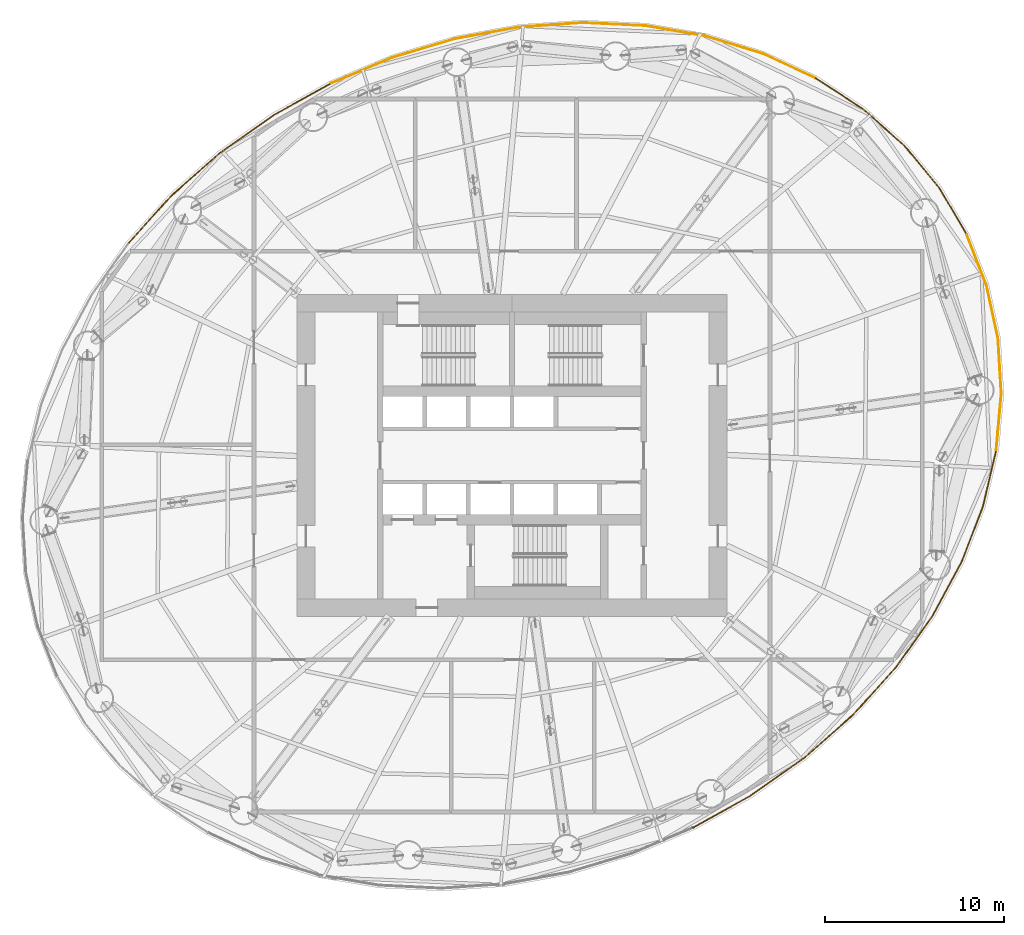
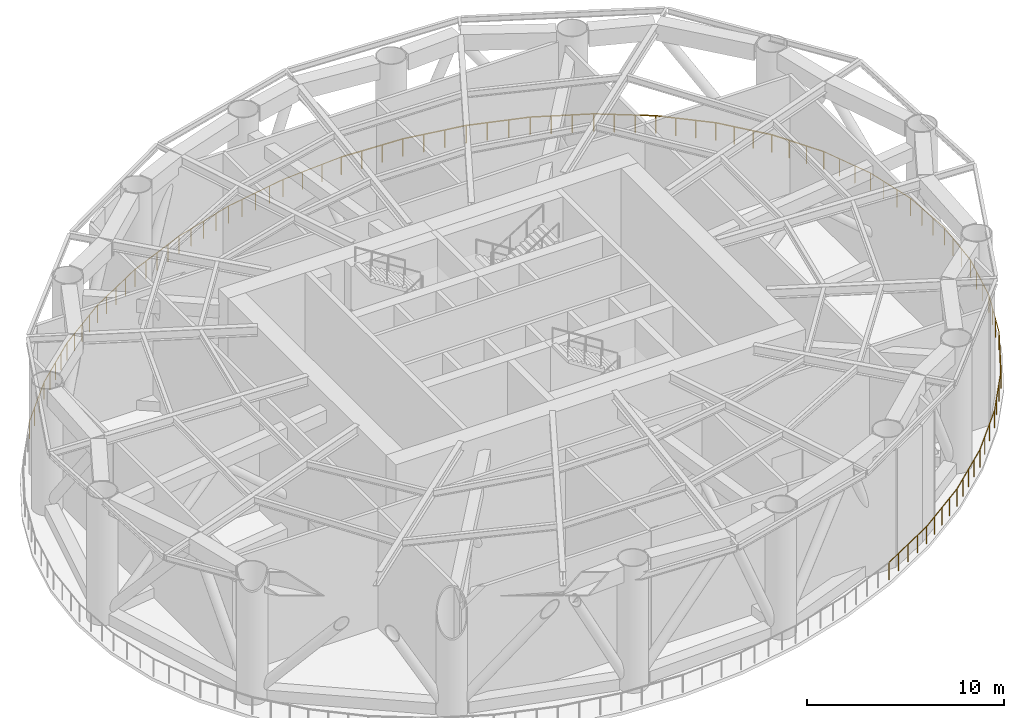
# One storey, part 15 of 15: 7 railings.
"""IFC4 building model written with IfcOpenShell, lengths in metres."""

from ifc_helpers import new_model, si_unit, direction, frame, origin, origin_2d, place, context, subcontext, project, spatial, circle, extrude, material, type_object, element, save


model = new_model("IFC4")

# Units and contexts
model_context = context("Model", 3, precision=1e-05, world=origin(), true_north=direction((0.0, 1.0)))
body_context = subcontext(model_context, "Body", "Model", "MODEL_VIEW")
ifc_project = project(units=[si_unit("LENGTHUNIT", "METRE"), si_unit("AREAUNIT", "SQUARE_METRE"), si_unit("VOLUMEUNIT", "CUBIC_METRE"), si_unit("PLANEANGLEUNIT", "RADIAN"), si_unit("MASSUNIT", "GRAM", prefix="KILO")], contexts=[model_context])

# Site, building, storey
site_placement = place(None, origin())
site = spatial("IfcSite", under=ifc_project, at=site_placement, CompositionType="ELEMENT")
building_placement = place(site_placement, origin())
building = spatial("IfcBuilding", under=site, at=building_placement, Name="Vermilion Reach Broadcast Tower", CompositionType="ELEMENT")
storey_placement = place(building_placement, frame((0.0, 0.0, 135.39990234375)))
storey = spatial("IfcBuildingStorey", under=building, at=storey_placement, Name="L32", CompositionType="ELEMENT", Elevation=135.39990234375)

# Railings
ifc_material = material(Name="Steel guardrail with stainless infill", Category="steel")
railing_type = type_object("IfcRailingType", Name="Open floor guardrail 1100", PredefinedType="GUARDRAIL", material=ifc_material)
railing_1_placement = place(storey_placement, frame((19.3818359375, 12.335693359375, 0.0)))
element("IfcRailing", 1, at=railing_1_placement, inside=storey, type_object=railing_type, Name="sp.rail.L32.00", PredefinedType="GUARDRAIL", context=body_context, shape_type="SweptSolid", body=[
    extrude(circle(Radius=0.02490234375, at=origin_2d()), frame((0.0, 0.0, 1.0751953125), z_axis=(-0.507465156079, 0.861672278401, 0.0), x_axis=(-0.861672278401, -0.507465156079, 0.0)), (0.0, 0.0, 1.0), 3.020263671875),
    extrude(circle(Radius=0.02490234375, at=origin_2d()), frame((-1.53271484375, 2.6025390625, 1.0751953125), z_axis=(-0.636953948744, 0.770901853143, 0.0), x_axis=(-0.770901853143, -0.636953948744, 0.0)), (0.0, 0.0, 1.0), 3.045654296875),
    extrude(circle(Radius=0.02490234375, at=origin_2d()), frame((-3.47265625, 4.950439453125, 1.0751953125), z_axis=(-0.748022828965, 0.663672997302, 0.0), x_axis=(-0.663672997302, -0.748022828965, 0.0)), (0.0, 0.0, 1.0), 3.093994140625),
    extrude(circle(Radius=0.02490234375, at=origin_2d()), frame((-5.787109375, 7.00390625, 1.0751953125), z_axis=(-0.838293610428, 0.545219059385, 0.0), x_axis=(-0.545219059385, -0.838293610428, 0.0)), (0.0, 0.0, 1.0), 3.161376953125),
    extrude(circle(Radius=0.02490234375, at=origin_2d()), origin(), (0.0, 0.0, 1.0), 1.050048828125),
    extrude(circle(Radius=0.02490234375, at=origin_2d()), frame((-0.510986328125, 0.867431640625, 0.0)), (0.0, 0.0, 1.0), 1.050048828125),
    extrude(circle(Radius=0.02490234375, at=origin_2d()), frame((-1.021728515625, 1.735107421875, 0.0)), (0.0, 0.0, 1.0), 1.050048828125),
    extrude(circle(Radius=0.02490234375, at=origin_2d()), frame((-1.53271484375, 2.6025390625, 0.0)), (0.0, 0.0, 1.0), 1.050048828125),
    extrude(circle(Radius=0.02490234375, at=origin_2d()), frame((-2.179443359375, 3.38525390625, 0.0)), (0.0, 0.0, 1.0), 1.050048828125),
    extrude(circle(Radius=0.02490234375, at=origin_2d()), frame((-2.825927734375, 4.167724609375, 0.0)), (0.0, 0.0, 1.0), 1.050048828125),
    extrude(circle(Radius=0.02490234375, at=origin_2d()), frame((-3.47265625, 4.950439453125, 0.0)), (0.0, 0.0, 1.0), 1.050048828125),
    extrude(circle(Radius=0.02490234375, at=origin_2d()), frame((-4.244140625, 5.635009765625, 0.0)), (0.0, 0.0, 1.0), 1.050048828125),
    extrude(circle(Radius=0.02490234375, at=origin_2d()), frame((-5.015625, 6.3193359375, 0.0)), (0.0, 0.0, 1.0), 1.050048828125),
    extrude(circle(Radius=0.02490234375, at=origin_2d()), frame((-5.787109375, 7.00390625, 0.0)), (0.0, 0.0, 1.0), 1.050048828125),
    extrude(circle(Radius=0.02490234375, at=origin_2d()), frame((-6.67041015625, 7.578369140625, 0.0)), (0.0, 0.0, 1.0), 1.050048828125),
    extrude(circle(Radius=0.02490234375, at=origin_2d()), frame((-7.553955078125, 8.153076171875, 0.0)), (0.0, 0.0, 1.0), 1.050048828125),
    extrude(circle(Radius=0.02490234375, at=origin_2d()), frame((-8.437255859375, 8.7275390625, 0.0)), (0.0, 0.0, 1.0), 1.050048828125),
])
railing_2_placement = place(storey_placement, frame((10.944580078125, 21.063232421875, 0.0)))
element("IfcRailing", 2, at=railing_2_placement, inside=storey, type_object=railing_type, Name="sp.rail.L32.01", PredefinedType="GUARDRAIL", context=body_context, shape_type="SweptSolid", body=[
    extrude(circle(Radius=0.02490234375, at=origin_2d()), frame((0.0, 0.0, 1.0751953125), z_axis=(-0.907175320106, 0.420752823629, 0.0), x_axis=(-0.420752823629, -0.907175320106, 0.0)), (0.0, 0.0, 1.0), 3.241943359375),
    extrude(circle(Radius=0.02490234375, at=origin_2d()), frame((-2.94091796875, 1.364013671875, 1.0751953125), z_axis=(-0.955598059159, 0.294673292533, 0.0), x_axis=(-0.294673292533, -0.955598059159, 0.0)), (0.0, 0.0, 1.0), 3.328857421875),
    extrude(circle(Radius=0.02490234375, at=origin_2d()), frame((-6.1220703125, 2.344970703125, 1.0751953125), z_axis=(-0.985461353244, 0.169899738854, 0.0), x_axis=(-0.169899738854, -0.985461353244, 0.0)), (0.0, 0.0, 1.0), 3.4169921875),
    extrude(circle(Radius=0.02490234375, at=origin_2d()), frame((-9.489501953125, 2.925537109375, 1.0751953125), z_axis=(-0.998820781228, 0.048549428293, 0.0), x_axis=(-0.048549428293, -0.998820781228, 0.0)), (0.0, 0.0, 1.0), 3.5),
    extrude(circle(Radius=0.02490234375, at=origin_2d()), origin(), (0.0, 0.0, 1.0), 1.050048828125),
    extrude(circle(Radius=0.02490234375, at=origin_2d()), frame((-0.980224609375, 0.45458984375, 0.0)), (0.0, 0.0, 1.0), 1.050048828125),
    extrude(circle(Radius=0.02490234375, at=origin_2d()), frame((-1.960693359375, 0.909423828125, 0.0)), (0.0, 0.0, 1.0), 1.050048828125),
    extrude(circle(Radius=0.02490234375, at=origin_2d()), frame((-2.94091796875, 1.364013671875, 0.0)), (0.0, 0.0, 1.0), 1.050048828125),
    extrude(circle(Radius=0.02490234375, at=origin_2d()), frame((-4.001220703125, 1.69091796875, 0.0)), (0.0, 0.0, 1.0), 1.050048828125),
    extrude(circle(Radius=0.02490234375, at=origin_2d()), frame((-5.061767578125, 2.01806640625, 0.0)), (0.0, 0.0, 1.0), 1.050048828125),
    extrude(circle(Radius=0.02490234375, at=origin_2d()), frame((-6.1220703125, 2.344970703125, 0.0)), (0.0, 0.0, 1.0), 1.050048828125),
    extrude(circle(Radius=0.02490234375, at=origin_2d()), frame((-7.24462890625, 2.53857421875, 0.0)), (0.0, 0.0, 1.0), 1.050048828125),
    extrude(circle(Radius=0.02490234375, at=origin_2d()), frame((-8.366943359375, 2.73193359375, 0.0)), (0.0, 0.0, 1.0), 1.050048828125),
    extrude(circle(Radius=0.02490234375, at=origin_2d()), frame((-9.489501953125, 2.925537109375, 0.0)), (0.0, 0.0, 1.0), 1.050048828125),
    extrude(circle(Radius=0.02490234375, at=origin_2d()), frame((-10.65478515625, 2.982177734375, 0.0)), (0.0, 0.0, 1.0), 1.050048828125),
    extrude(circle(Radius=0.02490234375, at=origin_2d()), frame((-11.820068359375, 3.038818359375, 0.0)), (0.0, 0.0, 1.0), 1.050048828125),
    extrude(circle(Radius=0.02490234375, at=origin_2d()), frame((-12.9853515625, 3.095458984375, 0.0)), (0.0, 0.0, 1.0), 1.050048828125),
])
railing_3_placement = place(storey_placement, frame((-2.040771484375, 24.15869140625, 0.0)))
element("IfcRailing", 3, at=railing_3_placement, inside=storey, type_object=railing_type, Name="sp.rail.L32.02", PredefinedType="GUARDRAIL", context=body_context, shape_type="SweptSolid", body=[
    extrude(circle(Radius=0.02490234375, at=origin_2d()), frame((0.0, 0.0, 1.0751953125), z_axis=(-0.997666902894, -0.06826969217, 0.0), x_axis=(0.06826969217, -0.997666902894, 0.0)), (0.0, 0.0, 1.0), 3.572509765625),
    extrude(circle(Radius=0.02490234375, at=origin_2d()), frame((-3.564208984375, -0.243896484375, 1.0751953125), z_axis=(-0.983642118442, -0.180133791463, 0.0), x_axis=(0.180133791463, -0.983642118442, 0.0)), (0.0, 0.0, 1.0), 3.630859375),
    extrude(circle(Radius=0.02490234375, at=origin_2d()), frame((-7.1357421875, -0.89794921875, 1.0751953125), z_axis=(-0.958010934308, -0.286731668545, 0.0), x_axis=(0.286731668545, -0.958010934308, 0.0)), (0.0, 0.0, 1.0), 3.67138671875),
    extrude(circle(Radius=0.02490234375, at=origin_2d()), frame((-10.653076171875, -1.95068359375, 1.0751953125), z_axis=(-0.921569393464, -0.388213669299, 0.0), x_axis=(0.388213669299, -0.921569393464, 0.0)), (0.0, 0.0, 1.0), 3.692138671875),
    extrude(circle(Radius=0.02490234375, at=origin_2d()), origin(), (0.0, 0.0, 1.0), 1.050048828125),
    extrude(circle(Radius=0.02490234375, at=origin_2d()), frame((-1.18798828125, -0.081298828125, 0.0)), (0.0, 0.0, 1.0), 1.050048828125),
    extrude(circle(Radius=0.02490234375, at=origin_2d()), frame((-2.376220703125, -0.16259765625, 0.0)), (0.0, 0.0, 1.0), 1.050048828125),
    extrude(circle(Radius=0.02490234375, at=origin_2d()), frame((-3.564208984375, -0.243896484375, 0.0)), (0.0, 0.0, 1.0), 1.050048828125),
    extrude(circle(Radius=0.02490234375, at=origin_2d()), frame((-4.45703125, -0.407470703125, 0.0)), (0.0, 0.0, 1.0), 1.050048828125),
    extrude(circle(Radius=0.02490234375, at=origin_2d()), frame((-5.35009765625, -0.57080078125, 0.0)), (0.0, 0.0, 1.0), 1.050048828125),
    extrude(circle(Radius=0.02490234375, at=origin_2d()), frame((-6.242919921875, -0.734375, 0.0)), (0.0, 0.0, 1.0), 1.050048828125),
    extrude(circle(Radius=0.02490234375, at=origin_2d()), frame((-7.1357421875, -0.89794921875, 0.0)), (0.0, 0.0, 1.0), 1.050048828125),
    extrude(circle(Radius=0.02490234375, at=origin_2d()), frame((-8.01513671875, -1.1611328125, 0.0)), (0.0, 0.0, 1.0), 1.050048828125),
    extrude(circle(Radius=0.02490234375, at=origin_2d()), frame((-8.89453125, -1.42431640625, 0.0)), (0.0, 0.0, 1.0), 1.050048828125),
    extrude(circle(Radius=0.02490234375, at=origin_2d()), frame((-9.773681640625, -1.6875, 0.0)), (0.0, 0.0, 1.0), 1.050048828125),
    extrude(circle(Radius=0.02490234375, at=origin_2d()), frame((-10.653076171875, -1.95068359375, 0.0)), (0.0, 0.0, 1.0), 1.050048828125),
    extrude(circle(Radius=0.02490234375, at=origin_2d()), frame((-11.503662109375, -2.30908203125, 0.0)), (0.0, 0.0, 1.0), 1.050048828125),
    extrude(circle(Radius=0.02490234375, at=origin_2d()), frame((-12.3544921875, -2.66748046875, 0.0)), (0.0, 0.0, 1.0), 1.050048828125),
    extrude(circle(Radius=0.02490234375, at=origin_2d()), frame((-13.205078125, -3.025634765625, 0.0)), (0.0, 0.0, 1.0), 1.050048828125),
    extrude(circle(Radius=0.02490234375, at=origin_2d()), frame((-14.0556640625, -3.384033203125, 0.0)), (0.0, 0.0, 1.0), 1.050048828125),
])
railing_4_placement = place(storey_placement, frame((-16.096435546875, 20.774658203125, 0.0)))
element("IfcRailing", 4, at=railing_4_placement, inside=storey, type_object=railing_type, Name="sp.rail.L32.03", PredefinedType="GUARDRAIL", context=body_context, shape_type="SweptSolid", body=[
    extrude(circle(Radius=0.02490234375, at=origin_2d()), frame((0.0, 0.0, 1.0751953125), z_axis=(-0.874674495508, -0.484710766239, 0.0), x_axis=(0.484710766239, -0.874674495508, 0.0)), (0.0, 0.0, 1.0), 3.6923828125),
    extrude(circle(Radius=0.02490234375, at=origin_2d()), frame((-3.229736328125, -1.789794921875, 1.0751953125), z_axis=(-0.81736572171, -0.576119151716, 0.0), x_axis=(0.576119151716, -0.81736572171, 0.0)), (0.0, 0.0, 1.0), 3.671630859375),
    extrude(circle(Radius=0.02490234375, at=origin_2d()), frame((-6.230712890625, -3.905029296875, 1.0751953125), z_axis=(-0.749335292951, -0.662190772163, 0.0), x_axis=(0.662190772163, -0.749335292951, 0.0)), (0.0, 0.0, 1.0), 3.630859375),
    extrude(circle(Radius=0.02490234375, at=origin_2d()), frame((-8.951416015625, -6.309326171875, 1.0751953125), z_axis=(-0.670138129792, -0.742236409104, 0.0), x_axis=(0.742236409104, -0.670138129792, 0.0)), (0.0, 0.0, 1.0), 3.572509765625),
    extrude(circle(Radius=0.02490234375, at=origin_2d()), origin(), (0.0, 0.0, 1.0), 1.050048828125),
    extrude(circle(Radius=0.02490234375, at=origin_2d()), frame((-0.807373046875, -0.447509765625, 0.0)), (0.0, 0.0, 1.0), 1.050048828125),
    extrude(circle(Radius=0.02490234375, at=origin_2d()), frame((-1.61474609375, -0.89501953125, 0.0)), (0.0, 0.0, 1.0), 1.050048828125),
    extrude(circle(Radius=0.02490234375, at=origin_2d()), frame((-2.42236328125, -1.34228515625, 0.0)), (0.0, 0.0, 1.0), 1.050048828125),
    extrude(circle(Radius=0.02490234375, at=origin_2d()), frame((-3.229736328125, -1.789794921875, 0.0)), (0.0, 0.0, 1.0), 1.050048828125),
    extrude(circle(Radius=0.02490234375, at=origin_2d()), frame((-3.97998046875, -2.318603515625, 0.0)), (0.0, 0.0, 1.0), 1.050048828125),
    extrude(circle(Radius=0.02490234375, at=origin_2d()), frame((-4.730224609375, -2.847412109375, 0.0)), (0.0, 0.0, 1.0), 1.050048828125),
    extrude(circle(Radius=0.02490234375, at=origin_2d()), frame((-5.48046875, -3.376220703125, 0.0)), (0.0, 0.0, 1.0), 1.050048828125),
    extrude(circle(Radius=0.02490234375, at=origin_2d()), frame((-6.230712890625, -3.905029296875, 0.0)), (0.0, 0.0, 1.0), 1.050048828125),
    extrude(circle(Radius=0.02490234375, at=origin_2d()), frame((-6.910888671875, -4.506103515625, 0.0)), (0.0, 0.0, 1.0), 1.050048828125),
    extrude(circle(Radius=0.02490234375, at=origin_2d()), frame((-7.591064453125, -5.107177734375, 0.0)), (0.0, 0.0, 1.0), 1.050048828125),
    extrude(circle(Radius=0.02490234375, at=origin_2d()), frame((-8.271240234375, -5.708251953125, 0.0)), (0.0, 0.0, 1.0), 1.050048828125),
    extrude(circle(Radius=0.02490234375, at=origin_2d()), frame((-8.951416015625, -6.309326171875, 0.0)), (0.0, 0.0, 1.0), 1.050048828125),
    extrude(circle(Radius=0.02490234375, at=origin_2d()), frame((-9.74951171875, -7.193115234375, 0.0)), (0.0, 0.0, 1.0), 1.050048828125),
    extrude(circle(Radius=0.02490234375, at=origin_2d()), frame((-10.54736328125, -8.0771484375, 0.0)), (0.0, 0.0, 1.0), 1.050048828125),
    extrude(circle(Radius=0.02490234375, at=origin_2d()), frame((-11.345458984375, -8.9609375, 0.0)), (0.0, 0.0, 1.0), 1.050048828125),
])
railing_5_placement = place(storey_placement, frame((4.096435546875, -20.774658203125, 0.0)))
element("IfcRailing", 5, at=railing_5_placement, inside=storey, type_object=railing_type, Name="sp.rail.L32.09", PredefinedType="GUARDRAIL", context=body_context, shape_type="SweptSolid", body=[
    extrude(circle(Radius=0.02490234375, at=origin_2d()), frame((0.0, 0.0, 1.0751953125), z_axis=(0.874674495508, 0.484710766239, 0.0), x_axis=(-0.484710766239, 0.874674495508, 0.0)), (0.0, 0.0, 1.0), 3.6923828125),
    extrude(circle(Radius=0.02490234375, at=origin_2d()), frame((3.229736328125, 1.789794921875, 1.0751953125), z_axis=(0.81736572171, 0.576119151716, 0.0), x_axis=(-0.576119151716, 0.81736572171, 0.0)), (0.0, 0.0, 1.0), 3.671630859375),
    extrude(circle(Radius=0.02490234375, at=origin_2d()), frame((6.230712890625, 3.905029296875, 1.0751953125), z_axis=(0.749335292951, 0.662190772163, 0.0), x_axis=(-0.662190772163, 0.749335292951, 0.0)), (0.0, 0.0, 1.0), 3.630859375),
    extrude(circle(Radius=0.02490234375, at=origin_2d()), frame((8.951416015625, 6.309326171875, 1.0751953125), z_axis=(0.670138129792, 0.742236409104, 0.0), x_axis=(-0.742236409104, 0.670138129792, 0.0)), (0.0, 0.0, 1.0), 3.572509765625),
    extrude(circle(Radius=0.02490234375, at=origin_2d()), origin(), (0.0, 0.0, 1.0), 1.050048828125),
    extrude(circle(Radius=0.02490234375, at=origin_2d()), frame((0.807373046875, 0.447509765625, 0.0)), (0.0, 0.0, 1.0), 1.050048828125),
    extrude(circle(Radius=0.02490234375, at=origin_2d()), frame((1.61474609375, 0.89501953125, 0.0)), (0.0, 0.0, 1.0), 1.050048828125),
    extrude(circle(Radius=0.02490234375, at=origin_2d()), frame((2.42236328125, 1.34228515625, 0.0)), (0.0, 0.0, 1.0), 1.050048828125),
    extrude(circle(Radius=0.02490234375, at=origin_2d()), frame((3.229736328125, 1.789794921875, 0.0)), (0.0, 0.0, 1.0), 1.050048828125),
    extrude(circle(Radius=0.02490234375, at=origin_2d()), frame((3.97998046875, 2.318603515625, 0.0)), (0.0, 0.0, 1.0), 1.050048828125),
    extrude(circle(Radius=0.02490234375, at=origin_2d()), frame((4.730224609375, 2.847412109375, 0.0)), (0.0, 0.0, 1.0), 1.050048828125),
    extrude(circle(Radius=0.02490234375, at=origin_2d()), frame((5.48046875, 3.376220703125, 0.0)), (0.0, 0.0, 1.0), 1.050048828125),
    extrude(circle(Radius=0.02490234375, at=origin_2d()), frame((6.230712890625, 3.905029296875, 0.0)), (0.0, 0.0, 1.0), 1.050048828125),
    extrude(circle(Radius=0.02490234375, at=origin_2d()), frame((6.910888671875, 4.506103515625, 0.0)), (0.0, 0.0, 1.0), 1.050048828125),
    extrude(circle(Radius=0.02490234375, at=origin_2d()), frame((7.591064453125, 5.107177734375, 0.0)), (0.0, 0.0, 1.0), 1.050048828125),
    extrude(circle(Radius=0.02490234375, at=origin_2d()), frame((8.271240234375, 5.708251953125, 0.0)), (0.0, 0.0, 1.0), 1.050048828125),
    extrude(circle(Radius=0.02490234375, at=origin_2d()), frame((8.951416015625, 6.309326171875, 0.0)), (0.0, 0.0, 1.0), 1.050048828125),
    extrude(circle(Radius=0.02490234375, at=origin_2d()), frame((9.74951171875, 7.193115234375, 0.0)), (0.0, 0.0, 1.0), 1.050048828125),
    extrude(circle(Radius=0.02490234375, at=origin_2d()), frame((10.54736328125, 8.0771484375, 0.0)), (0.0, 0.0, 1.0), 1.050048828125),
    extrude(circle(Radius=0.02490234375, at=origin_2d()), frame((11.345458984375, 8.9609375, 0.0)), (0.0, 0.0, 1.0), 1.050048828125),
])
railing_6_placement = place(storey_placement, frame((15.44189453125, -11.813720703125, 0.0)))
element("IfcRailing", 6, at=railing_6_placement, inside=storey, type_object=railing_type, Name="sp.rail.L32.10", PredefinedType="GUARDRAIL", context=body_context, shape_type="SweptSolid", body=[
    extrude(circle(Radius=0.02490234375, at=origin_2d()), frame((0.0, 0.0, 1.0751953125), z_axis=(0.579005853199, 0.815323384898, 0.0), x_axis=(-0.815323384898, 0.579005853199, 0.0)), (0.0, 0.0, 1.0), 3.500244140625),
    extrude(circle(Radius=0.02490234375, at=origin_2d()), frame((2.026611328125, 2.853759765625, 1.0751953125), z_axis=(0.475254010474, 0.879848637851, 0.0), x_axis=(-0.879848637851, 0.475254010474, 0.0)), (0.0, 0.0, 1.0), 3.417236328125),
    extrude(circle(Radius=0.02490234375, at=origin_2d()), frame((3.650634765625, 5.8603515625, 1.0751953125), z_axis=(0.358698940051, 0.933453303817, 0.0), x_axis=(-0.933453303817, 0.358698940051, 0.0)), (0.0, 0.0, 1.0), 3.328857421875),
    extrude(circle(Radius=0.02490234375, at=origin_2d()), frame((4.8447265625, 8.9677734375, 1.0751953125), z_axis=(0.229631182242, 0.973277719945, 0.0), x_axis=(-0.973277719945, 0.229631182242, 0.0)), (0.0, 0.0, 1.0), 3.24169921875),
    extrude(circle(Radius=0.02490234375, at=origin_2d()), origin(), (0.0, 0.0, 1.0), 1.050048828125),
    extrude(circle(Radius=0.02490234375, at=origin_2d()), frame((0.675537109375, 0.951171875, 0.0)), (0.0, 0.0, 1.0), 1.050048828125),
    extrude(circle(Radius=0.02490234375, at=origin_2d()), frame((1.35107421875, 1.902587890625, 0.0)), (0.0, 0.0, 1.0), 1.050048828125),
    extrude(circle(Radius=0.02490234375, at=origin_2d()), frame((2.026611328125, 2.853759765625, 0.0)), (0.0, 0.0, 1.0), 1.050048828125),
    extrude(circle(Radius=0.02490234375, at=origin_2d()), frame((2.56787109375, 3.85595703125, 0.0)), (0.0, 0.0, 1.0), 1.050048828125),
    extrude(circle(Radius=0.02490234375, at=origin_2d()), frame((3.109375, 4.858154296875, 0.0)), (0.0, 0.0, 1.0), 1.050048828125),
    extrude(circle(Radius=0.02490234375, at=origin_2d()), frame((3.650634765625, 5.8603515625, 0.0)), (0.0, 0.0, 1.0), 1.050048828125),
    extrude(circle(Radius=0.02490234375, at=origin_2d()), frame((4.048583984375, 6.896240234375, 0.0)), (0.0, 0.0, 1.0), 1.050048828125),
    extrude(circle(Radius=0.02490234375, at=origin_2d()), frame((4.44677734375, 7.931884765625, 0.0)), (0.0, 0.0, 1.0), 1.050048828125),
    extrude(circle(Radius=0.02490234375, at=origin_2d()), frame((4.8447265625, 8.9677734375, 0.0)), (0.0, 0.0, 1.0), 1.050048828125),
    extrude(circle(Radius=0.02490234375, at=origin_2d()), frame((5.0927734375, 10.01953125, 0.0)), (0.0, 0.0, 1.0), 1.050048828125),
    extrude(circle(Radius=0.02490234375, at=origin_2d()), frame((5.341064453125, 11.071044921875, 0.0)), (0.0, 0.0, 1.0), 1.050048828125),
    extrude(circle(Radius=0.02490234375, at=origin_2d()), frame((5.589111328125, 12.122802734375, 0.0)), (0.0, 0.0, 1.0), 1.050048828125),
])
railing_7_placement = place(storey_placement, frame((21.031005859375, 0.30908203125, 0.0)))
element("IfcRailing", 7, at=railing_7_placement, inside=storey, type_object=railing_type, Name="sp.rail.L32.11", PredefinedType="GUARDRAIL", context=body_context, shape_type="SweptSolid", body=[
    extrude(circle(Radius=0.02490234375, at=origin_2d()), frame((0.0, 0.0, 1.0751953125), z_axis=(0.089275341107, 0.996006984649, 0.0), x_axis=(-0.996006984649, 0.089275341107, 0.0)), (0.0, 0.0, 1.0), 3.161376953125),
    extrude(circle(Radius=0.02490234375, at=origin_2d()), frame((0.2822265625, 3.148681640625, 1.0751953125), z_axis=(-0.059651707693, 0.998219251352, 0.0), x_axis=(-0.998219251352, -0.059651707693, 0.0)), (0.0, 0.0, 1.0), 3.09423828125),
    extrude(circle(Radius=0.02490234375, at=origin_2d()), frame((0.09765625, 6.2373046875, 1.0751953125), z_axis=(-0.212582725919, 0.977143072759, 0.0), x_axis=(-0.977143072759, -0.212582725919, 0.0)), (0.0, 0.0, 1.0), 3.045654296875),
    extrude(circle(Radius=0.02490234375, at=origin_2d()), frame((-0.5498046875, 9.21337890625, 1.0751953125), z_axis=(-0.363978728968, 0.931407260471, 0.0), x_axis=(-0.931407260471, -0.363978728968, 0.0)), (0.0, 0.0, 1.0), 3.0205078125),
    extrude(circle(Radius=0.02490234375, at=origin_2d()), origin(), (0.0, 0.0, 1.0), 1.050048828125),
    extrude(circle(Radius=0.02490234375, at=origin_2d()), frame((0.093994140625, 1.049560546875, 0.0)), (0.0, 0.0, 1.0), 1.050048828125),
    extrude(circle(Radius=0.02490234375, at=origin_2d()), frame((0.188232421875, 2.09912109375, 0.0)), (0.0, 0.0, 1.0), 1.050048828125),
    extrude(circle(Radius=0.02490234375, at=origin_2d()), frame((0.2822265625, 3.148681640625, 0.0)), (0.0, 0.0, 1.0), 1.050048828125),
    extrude(circle(Radius=0.02490234375, at=origin_2d()), frame((0.220703125, 4.17822265625, 0.0)), (0.0, 0.0, 1.0), 1.050048828125),
    extrude(circle(Radius=0.02490234375, at=origin_2d()), frame((0.1591796875, 5.207763671875, 0.0)), (0.0, 0.0, 1.0), 1.050048828125),
    extrude(circle(Radius=0.02490234375, at=origin_2d()), frame((0.09765625, 6.2373046875, 0.0)), (0.0, 0.0, 1.0), 1.050048828125),
    extrude(circle(Radius=0.02490234375, at=origin_2d()), frame((-0.1181640625, 7.229248046875, 0.0)), (0.0, 0.0, 1.0), 1.050048828125),
    extrude(circle(Radius=0.02490234375, at=origin_2d()), frame((-0.333984375, 8.221435546875, 0.0)), (0.0, 0.0, 1.0), 1.050048828125),
    extrude(circle(Radius=0.02490234375, at=origin_2d()), frame((-0.5498046875, 9.21337890625, 0.0)), (0.0, 0.0, 1.0), 1.050048828125),
    extrude(circle(Radius=0.02490234375, at=origin_2d()), frame((-0.916259765625, 10.151123046875, 0.0)), (0.0, 0.0, 1.0), 1.050048828125),
    extrude(circle(Radius=0.02490234375, at=origin_2d()), frame((-1.28271484375, 11.0888671875, 0.0)), (0.0, 0.0, 1.0), 1.050048828125),
    extrude(circle(Radius=0.02490234375, at=origin_2d()), frame((-1.649169921875, 12.026611328125, 0.0)), (0.0, 0.0, 1.0), 1.050048828125),
])

save(model, "model.ifc")
